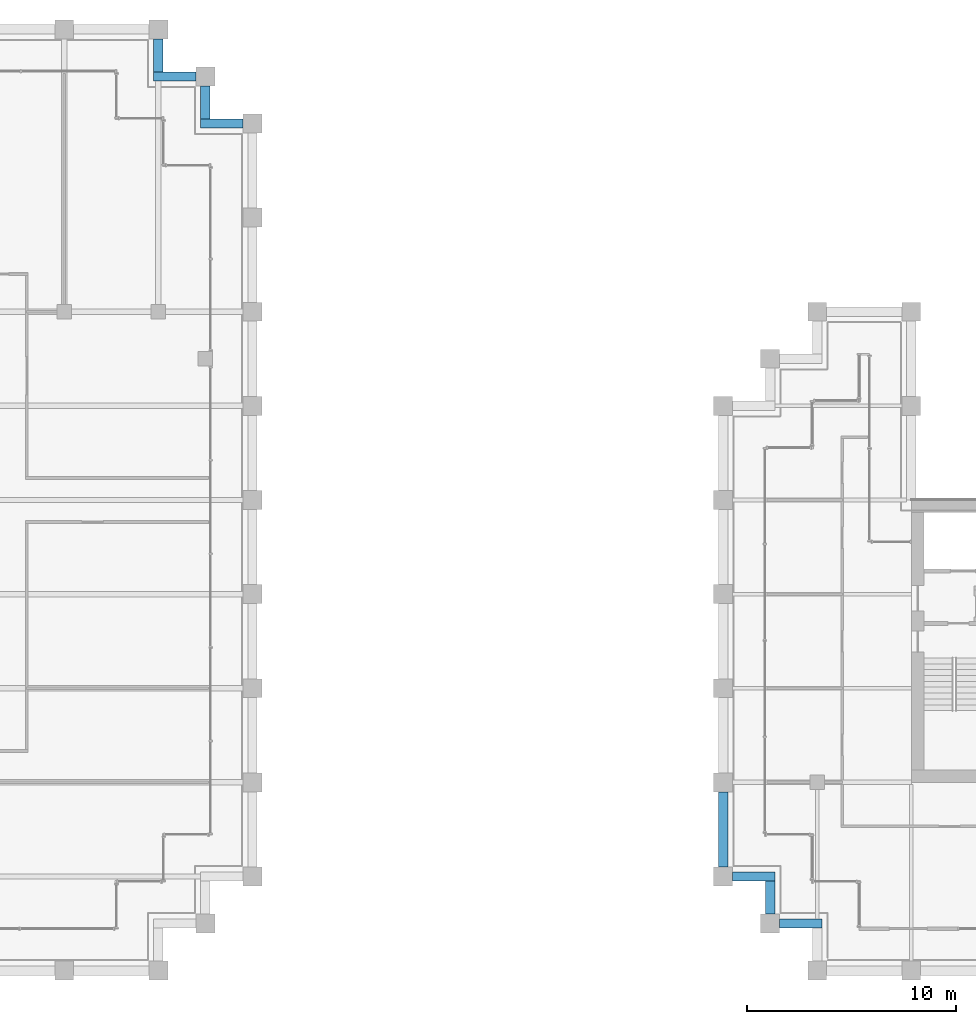
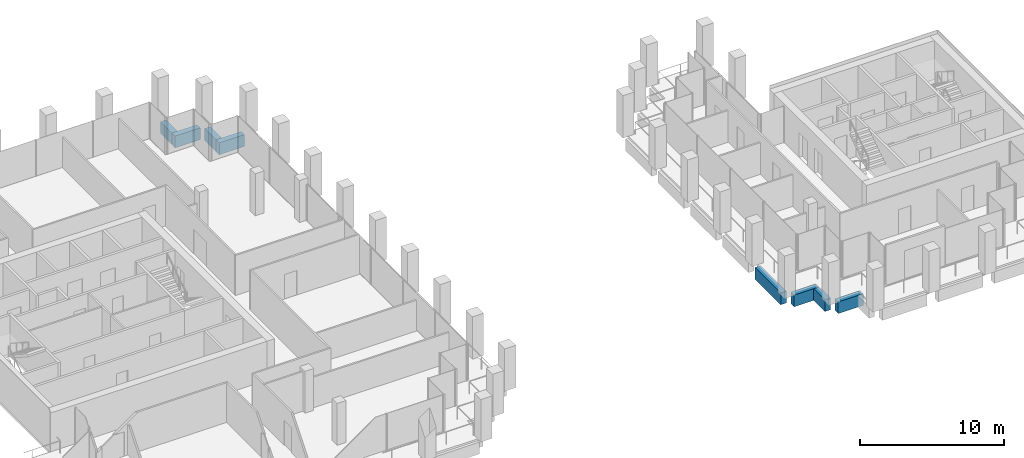
# One storey, part 27 of 40: 8 beams.
"""IFC4 building model written with IfcOpenShell, lengths in metres."""

from ifc_helpers import new_model, si_unit, direction, frame, origin, origin_2d, place, context, subcontext, project, spatial, rectangle, extrude, material, material_profile, profile_set, type_object, element, save


model = new_model("IFC4")

# Units and contexts
model_context = context("Model", 3, precision=1e-05, world=origin(), true_north=direction((0.0, 1.0)))
body_context = subcontext(model_context, "Body", "Model", "MODEL_VIEW")
ifc_project = project(units=[si_unit("LENGTHUNIT", "METRE"), si_unit("AREAUNIT", "SQUARE_METRE"), si_unit("VOLUMEUNIT", "CUBIC_METRE"), si_unit("PLANEANGLEUNIT", "RADIAN"), si_unit("MASSUNIT", "GRAM", prefix="KILO")], contexts=[model_context])

# Site, building, storey
site_placement = place(None, origin())
site = spatial("IfcSite", under=ifc_project, at=site_placement, CompositionType="ELEMENT")
building_placement = place(site_placement, origin())
building = spatial("IfcBuilding", under=site, at=building_placement, Name="Altepetl Exchange Towers", CompositionType="ELEMENT")
storey_placement = place(building_placement, frame((0.0, 0.0, 187.0)))
storey = spatial("IfcBuildingStorey", under=building, at=storey_placement, Name="L47", CompositionType="ELEMENT", Elevation=187.0)

# Beams
ifc_material_1 = material(Name="Concrete C50/60 precast with cantera rosa facing", Category="concrete")
ifc_material_profile_1 = material_profile(ifc_material_1, rectangle(XDim=0.449951171875, YDim=1.0, at=origin_2d()), Name="450 x 1000")
ifc_profile_set_1 = profile_set([ifc_material_profile_1], Name="Concrete C50/60 precast with cantera rosa facing")
beam_type_1 = type_object("IfcBeamType", Name="Spandrel beam 450x1000 cantera rosa", PredefinedType="SPANDREL", material=ifc_profile_set_1)
beam_1_placement = place(storey_placement, frame((71.550048828125, 67.5, -0.64990234375), z_axis=(-1.0, 0.0, 0.0), x_axis=(0.0, -1.0, 0.0)))
element("IfcBeam", 1, at=beam_1_placement, inside=storey, type_object=beam_type_1, Name="sp:A:L47:020", PredefinedType="SPANDREL", context=body_context, shape_type="SweptSolid", body=[
    extrude(rectangle(XDim=0.449951171875, YDim=1.0, at=origin_2d()), origin(), (0.0, 0.0, 1.0), 2.025146484375),
])
beam_2_placement = place(storey_placement, frame((69.75, 67.72509765625, -0.64990234375), z_axis=(0.0, 1.0, 0.0), x_axis=(-1.0, 0.0, 0.0)))
element("IfcBeam", 2, at=beam_2_placement, inside=storey, type_object=beam_type_1, Name="sp:A:L47:021", PredefinedType="SPANDREL", context=body_context, shape_type="SweptSolid", body=[
    extrude(rectangle(XDim=0.449951171875, YDim=1.0, at=origin_2d()), origin(), (0.0, 0.0, 1.0), 1.574951171875),
])
beam_3_placement = place(storey_placement, frame((69.300048828125, 69.75, -0.64990234375), z_axis=(-1.0, 0.0, 0.0), x_axis=(0.0, -1.0, 0.0)))
element("IfcBeam", 3, at=beam_3_placement, inside=storey, type_object=beam_type_1, Name="sp:A:L47:022", PredefinedType="SPANDREL", context=body_context, shape_type="SweptSolid", body=[
    extrude(rectangle(XDim=0.449951171875, YDim=1.0, at=origin_2d()), origin(), (0.0, 0.0, 1.0), 2.025146484375),
])
beam_4_placement = place(storey_placement, frame((67.5, 69.97509765625, -0.64990234375), z_axis=(0.0, 1.0, 0.0), x_axis=(-1.0, 0.0, 0.0)))
element("IfcBeam", 4, at=beam_4_placement, inside=storey, type_object=beam_type_1, Name="sp:A:L47:023", PredefinedType="SPANDREL", context=body_context, shape_type="SweptSolid", body=[
    extrude(rectangle(XDim=0.449951171875, YDim=1.0, at=origin_2d()), origin(), (0.0, 0.0, 1.0), 1.574951171875),
])
ifc_material_2 = material(Name="Concrete C50/60 precast with tezontle facing", Category="concrete")
ifc_material_profile_2 = material_profile(ifc_material_2, rectangle(XDim=0.449951171875, YDim=1.0, at=origin_2d()), Name="450 x 1000")
ifc_profile_set_2 = profile_set([ifc_material_profile_2], Name="Concrete C50/60 precast with tezontle facing")
beam_type_2 = type_object("IfcBeamType", Name="Spandrel beam 450x1000 tezontle", PredefinedType="SPANDREL", material=ifc_profile_set_2)
beam_5_placement = place(storey_placement, frame((94.5, 35.550048828125, -0.64990234375), z_axis=(0.0, -1.0, 0.0), x_axis=(1.0, 0.0, 0.0)))
element("IfcBeam", 5, at=beam_5_placement, inside=storey, type_object=beam_type_2, Name="sp:B:L47:019", PredefinedType="SPANDREL", context=body_context, shape_type="SweptSolid", body=[
    extrude(rectangle(XDim=0.449951171875, YDim=1.0, at=origin_2d()), origin(), (0.0, 0.0, 1.0), 3.60009765625),
])
beam_6_placement = place(storey_placement, frame((94.949951171875, 31.5, -0.64990234375), z_axis=(1.0, 0.0, 0.0), x_axis=(0.0, 1.0, 0.0)))
element("IfcBeam", 6, at=beam_6_placement, inside=storey, type_object=beam_type_2, Name="sp:B:L47:020", PredefinedType="SPANDREL", context=body_context, shape_type="SweptSolid", body=[
    extrude(rectangle(XDim=0.449951171875, YDim=1.0, at=origin_2d()), origin(), (0.0, 0.0, 1.0), 2.025146484375),
])
beam_7_placement = place(storey_placement, frame((96.75, 31.27490234375, -0.64990234375), z_axis=(0.0, -1.0, 0.0), x_axis=(1.0, 0.0, 0.0)))
element("IfcBeam", 7, at=beam_7_placement, inside=storey, type_object=beam_type_2, Name="sp:B:L47:021", PredefinedType="SPANDREL", context=body_context, shape_type="SweptSolid", body=[
    extrude(rectangle(XDim=0.449951171875, YDim=1.0, at=origin_2d()), origin(), (0.0, 0.0, 1.0), 1.574951171875),
])
beam_8_placement = place(storey_placement, frame((97.199951171875, 29.25, -0.64990234375), z_axis=(1.0, 0.0, 0.0), x_axis=(0.0, 1.0, 0.0)))
element("IfcBeam", 8, at=beam_8_placement, inside=storey, type_object=beam_type_2, Name="sp:B:L47:022", PredefinedType="SPANDREL", context=body_context, shape_type="SweptSolid", body=[
    extrude(rectangle(XDim=0.449951171875, YDim=1.0, at=origin_2d()), origin(), (0.0, 0.0, 1.0), 2.025146484375),
])

save(model, "model.ifc")
